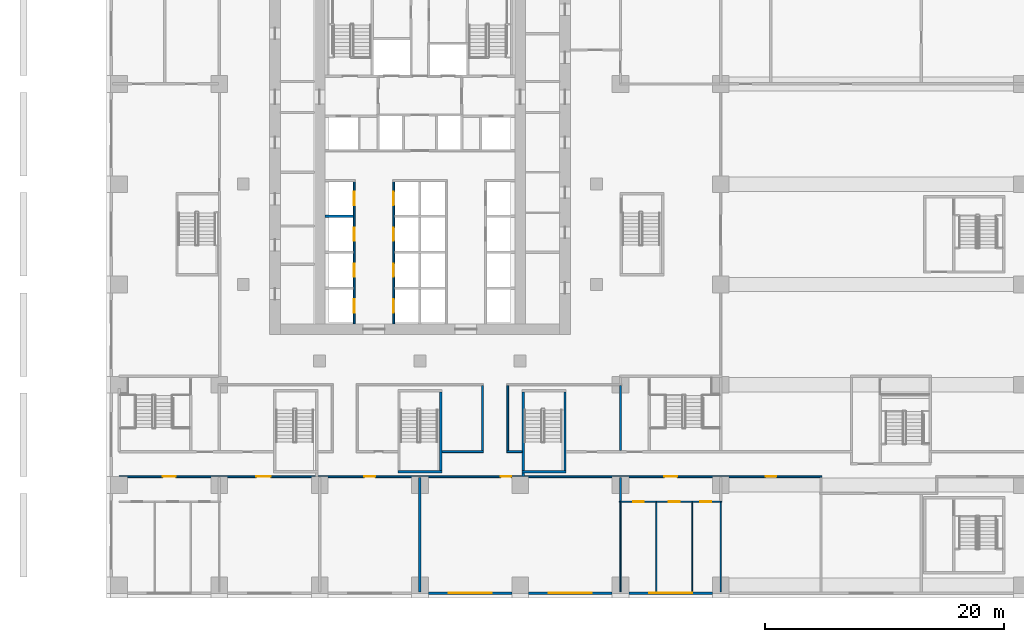
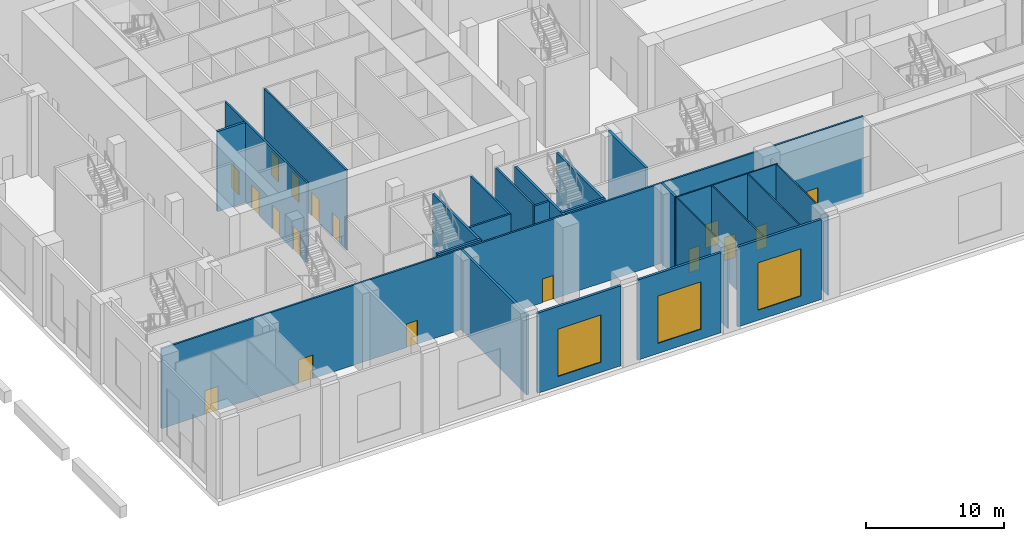
# One storey, part 8 of 29: 24 walls, 17 doors, 3 windows, 20 openings.
"""IFC4 building model written with IfcOpenShell, lengths in metres."""

from ifc_helpers import new_model, si_unit, direction, frame, frame_2d, origin, place, context, subcontext, project, spatial, rectangle, extrude, material, layer, layer_set, type_object, element, fill, save


model = new_model("IFC4")

# Units and contexts
model_context = context("Model", 3, precision=1e-05, world=origin(), true_north=direction((0.0, 1.0)))
body_context = subcontext(model_context, "Body", "Model", "MODEL_VIEW")
ifc_project = project(units=[si_unit("LENGTHUNIT", "METRE"), si_unit("AREAUNIT", "SQUARE_METRE"), si_unit("VOLUMEUNIT", "CUBIC_METRE"), si_unit("PLANEANGLEUNIT", "RADIAN"), si_unit("MASSUNIT", "GRAM", prefix="KILO")], contexts=[model_context])

# Site, building, storey
site_placement = place(None, origin())
site = spatial("IfcSite", under=ifc_project, at=site_placement, CompositionType="ELEMENT")
building_placement = place(site_placement, origin())
building = spatial("IfcBuilding", under=site, at=building_placement, Name="Vermilion Ogive Tower", CompositionType="ELEMENT")
storey_placement = place(building_placement, frame((0.0, 0.0, 12.5)))
storey = spatial("IfcBuildingStorey", under=building, at=storey_placement, Name="L02", CompositionType="ELEMENT", Elevation=12.5)

# Wall, openings, doors
ifc_material_1 = material(Name="Gypsum board partition on steel studs", Category="steel")
ifc_layer_1 = layer(ifc_material_1, 0.10009765625)
ifc_layer_set_1 = layer_set([ifc_layer_1], Name="Partition 100 bath")
wall_type_1 = type_object("IfcWallType", Name="Partition 100 bath", PredefinedType="PARTITIONING", material=ifc_layer_set_1)
wall_1_placement = place(storey_placement, frame((16.699951171875, -22.39990234375, 0.0), z_axis=(0.0, 0.0, 1.0), x_axis=(1.0, 0.0, 0.0)))
wall_1 = element("IfcWall", 1, at=wall_1_placement, inside=storey, type_object=wall_type_1, Name="L02-FS-W-W003", PredefinedType="PARTITIONING", context=body_context, shape_type="SweptSolid", body=[
    extrude(rectangle(XDim=8.60009765625, YDim=0.10009765625, at=frame_2d((4.300048828125, 0.0))), origin(), (0.0, 0.0, 1.0), 7.10009765625),
])
opening_1_placement = place(wall_1_placement, frame((1.150146484375, 0.0, 0.0)))
opening_1 = element("IfcOpeningElement", 2, at=opening_1_placement, cuts=wall_1, Name="Opening L02S037", PredefinedType="OPENING", context=body_context, shape_type="SweptSolid", body=[
    extrude(rectangle(XDim=0.89990234375, YDim=2.10009765625, at=frame_2d((0.449951171875, 1.050048828125))), frame((0.0, 0.06005859375, 0.0), z_axis=(0.0, -1.0, 0.0), x_axis=(1.0, 0.0, 0.0)), (0.0, 0.0, 1.0), 0.1201171875),
])
opening_2_placement = place(wall_1_placement, frame((4.150146484375, 0.0, 0.0)))
opening_2 = element("IfcOpeningElement", 3, at=opening_2_placement, cuts=wall_1, Name="Opening L02S038", PredefinedType="OPENING", context=body_context, shape_type="SweptSolid", body=[
    extrude(rectangle(XDim=0.89990234375, YDim=2.10009765625, at=frame_2d((0.449951171875, 1.050048828125))), frame((0.0, 0.06005859375, 0.0), z_axis=(0.0, -1.0, 0.0), x_axis=(1.0, 0.0, 0.0)), (0.0, 0.0, 1.0), 0.1201171875),
])
opening_3_placement = place(wall_1_placement, frame((6.800048828125, 0.0, 0.0)))
opening_3 = element("IfcOpeningElement", 4, at=opening_3_placement, cuts=wall_1, Name="Opening L02S039", PredefinedType="OPENING", context=body_context, shape_type="SweptSolid", body=[
    extrude(rectangle(XDim=0.89990234375, YDim=2.10009765625, at=frame_2d((0.449951171875, 1.050048828125))), frame((0.0, 0.06005859375, 0.0), z_axis=(0.0, -1.0, 0.0), x_axis=(1.0, 0.0, 0.0)), (0.0, 0.0, 1.0), 0.1201171875),
])
ifc_material_2 = material(Name="Timber door leaf", Category="wood")
door_type_1 = type_object("IfcDoorType", Name="Room door 900 x 2100 FD30", OperationType="SINGLE_SWING_LEFT", PredefinedType="DOOR", material=ifc_material_2)
door_1_placement = place(opening_1_placement, origin())
door_1 = element("IfcDoor", 5, at=door_1_placement, inside=storey, type_object=door_type_1, Name="L02-FS-D-D037", OperationType="SINGLE_SWING_RIGHT", OverallHeight=2.10009765625, OverallWidth=0.89990234375, PredefinedType="DOOR", context=body_context, shape_type="SweptSolid", body=[
    extrude(rectangle(XDim=0.89990234375, YDim=2.10009765625, at=frame_2d((0.449951171875, 1.050048828125))), frame((0.0, 0.02490234375, 0.0), z_axis=(0.0, -1.0, 0.0), x_axis=(1.0, 0.0, 0.0)), (0.0, 0.0, 1.0), 0.050048828125),
])
fill(opening_1, door_1)
door_2_placement = place(opening_2_placement, origin())
door_2 = element("IfcDoor", 6, at=door_2_placement, inside=storey, type_object=door_type_1, Name="L02-FS-D-D038", OperationType="SINGLE_SWING_RIGHT", OverallHeight=2.10009765625, OverallWidth=0.89990234375, PredefinedType="DOOR", context=body_context, shape_type="SweptSolid", body=[
    extrude(rectangle(XDim=0.89990234375, YDim=2.10009765625, at=frame_2d((0.449951171875, 1.050048828125))), frame((0.0, 0.02490234375, 0.0), z_axis=(0.0, -1.0, 0.0), x_axis=(1.0, 0.0, 0.0)), (0.0, 0.0, 1.0), 0.050048828125),
])
fill(opening_2, door_2)
door_3_placement = place(opening_3_placement, origin())
door_3 = element("IfcDoor", 7, at=door_3_placement, inside=storey, type_object=door_type_1, Name="L02-FS-D-D039", OperationType="SINGLE_SWING_RIGHT", OverallHeight=2.10009765625, OverallWidth=0.89990234375, PredefinedType="DOOR", context=body_context, shape_type="SweptSolid", body=[
    extrude(rectangle(XDim=0.89990234375, YDim=2.10009765625, at=frame_2d((0.449951171875, 1.050048828125))), frame((0.0, 0.02490234375, 0.0), z_axis=(0.0, -1.0, 0.0), x_axis=(1.0, 0.0, 0.0)), (0.0, 0.0, 1.0), 0.050048828125),
])
fill(opening_3, door_3)

# Walls
for number, where, z_axis, x_axis, name in (
    (8, (16.800048828125, -29.949951171875, 0.0), (0.0, 0.0, 1.0), (0.0, 1.0, 0.0), "L02-FS-W-W060"),
    (9, (19.800048828125, -29.949951171875, 0.0), (0.0, 0.0, 1.0), (0.0, 1.0, 0.0), "L02-FS-W-W068"),
    (10, (22.800048828125, -29.949951171875, 0.0), (0.0, 0.0, 1.0), (0.0, 1.0, 0.0), "L02-FS-W-W069"),
    (11, (25.199951171875, -29.949951171875, 0.0), (0.0, 0.0, 1.0), (0.0, 1.0, 0.0), "L02-FS-W-W070"),
):
    element("IfcWall", number, at=place(storey_placement, frame(where, z_axis=z_axis, x_axis=x_axis)), inside=storey, type_object=wall_type_1, Name=name, PredefinedType="PARTITIONING", context=body_context, shape_type="SweptSolid", body=[
        extrude(rectangle(XDim=7.5, YDim=0.10009765625, at=frame_2d((3.75, 0.0))), origin(), (0.0, 0.0, 1.0), 7.10009765625),
    ])

# Wall, openings, doors
ifc_material_3 = material(Name="Gypsum board partition on steel studs", Category="steel")
ifc_layer_2 = layer(ifc_material_3, 0.14990234375)
ifc_layer_set_2 = layer_set([ifc_layer_2], Name="Partition 150 corridor")
wall_type_2 = type_object("IfcWallType", Name="Partition 150 corridor", PredefinedType="PARTITIONING", material=ifc_layer_set_2)
wall_2_placement = place(storey_placement, frame((-25.199951171875, -20.300048828125, 0.0), z_axis=(0.0, 0.0, 1.0), x_axis=(1.0, 0.0, 0.0)))
wall_2 = element("IfcWall", 12, at=wall_2_placement, inside=storey, type_object=wall_type_2, Name="L02-FS-W-W006", PredefinedType="PARTITIONING", context=body_context, shape_type="SweptSolid", body=[
    extrude(rectangle(XDim=58.875, YDim=0.14990234375, at=frame_2d((29.4375, 0.0))), origin(), (0.0, 0.0, 1.0), 7.10009765625),
])
opening_4_placement = place(wall_2_placement, frame((3.64990234375, 0.0, 0.0)))
opening_4 = element("IfcOpeningElement", 13, at=opening_4_placement, cuts=wall_2, Name="Opening L02S022", PredefinedType="OPENING", context=body_context, shape_type="SweptSolid", body=[
    extrude(rectangle(XDim=1.10009765625, YDim=2.10009765625, at=frame_2d((0.550048828125, 1.050048828125))), frame((0.0, 0.0849609375, 0.0), z_axis=(0.0, -1.0, 0.0), x_axis=(1.0, 0.0, 0.0)), (0.0, 0.0, 1.0), 0.169921875),
])
opening_5_placement = place(wall_2_placement, frame((11.5, 0.0, 0.0)))
opening_5 = element("IfcOpeningElement", 14, at=opening_5_placement, cuts=wall_2, Name="Opening L02S026", PredefinedType="OPENING", context=body_context, shape_type="SweptSolid", body=[
    extrude(rectangle(XDim=1.199951171875, YDim=2.10009765625, at=frame_2d((0.60009765625, 1.050048828125))), frame((0.0, 0.0849609375, 0.0), z_axis=(0.0, -1.0, 0.0), x_axis=(1.0, 0.0, 0.0)), (0.0, 0.0, 1.0), 0.169921875),
])
opening_6_placement = place(wall_2_placement, frame((20.550048828125, 0.0, 0.0)))
opening_6 = element("IfcOpeningElement", 15, at=opening_6_placement, cuts=wall_2, Name="Opening L02S027", PredefinedType="OPENING", context=body_context, shape_type="SweptSolid", body=[
    extrude(rectangle(XDim=0.89990234375, YDim=2.10009765625, at=frame_2d((0.449951171875, 1.050048828125))), frame((0.0, 0.0849609375, 0.0), z_axis=(0.0, -1.0, 0.0), x_axis=(1.0, 0.0, 0.0)), (0.0, 0.0, 1.0), 0.169921875),
])
opening_7_placement = place(wall_2_placement, frame((31.949951171875, 0.0, 0.0)))
opening_7 = element("IfcOpeningElement", 16, at=opening_7_placement, cuts=wall_2, Name="Opening L02S028", PredefinedType="OPENING", context=body_context, shape_type="SweptSolid", body=[
    extrude(rectangle(XDim=0.89990234375, YDim=2.10009765625, at=frame_2d((0.449951171875, 1.050048828125))), frame((0.0, 0.0849609375, 0.0), z_axis=(0.0, -1.0, 0.0), x_axis=(1.0, 0.0, 0.0)), (0.0, 0.0, 1.0), 0.169921875),
])
opening_8_placement = place(wall_2_placement, frame((45.64990234375, 0.0, 0.0)))
opening_8 = element("IfcOpeningElement", 17, at=opening_8_placement, cuts=wall_2, Name="Opening L02S036", PredefinedType="OPENING", context=body_context, shape_type="SweptSolid", body=[
    extrude(rectangle(XDim=1.10009765625, YDim=2.10009765625, at=frame_2d((0.550048828125, 1.050048828125))), frame((0.0, 0.0849609375, 0.0), z_axis=(0.0, -1.0, 0.0), x_axis=(1.0, 0.0, 0.0)), (0.0, 0.0, 1.0), 0.169921875),
])
opening_9_placement = place(wall_2_placement, frame((54.14990234375, 0.0, 0.0)))
opening_9 = element("IfcOpeningElement", 18, at=opening_9_placement, cuts=wall_2, Name="Opening L02S040", PredefinedType="OPENING", context=body_context, shape_type="SweptSolid", body=[
    extrude(rectangle(XDim=0.89990234375, YDim=2.10009765625, at=frame_2d((0.449951171875, 1.050048828125))), frame((0.0, 0.0849609375, 0.0), z_axis=(0.0, -1.0, 0.0), x_axis=(1.0, 0.0, 0.0)), (0.0, 0.0, 1.0), 0.169921875),
])
ifc_material_4 = material(Name="Timber door leaf", Category="wood")
door_type_2 = type_object("IfcDoorType", Name="Room door 1200 x 2100 FD30", OperationType="SINGLE_SWING_LEFT", PredefinedType="DOOR", material=ifc_material_4)
door_4_placement = place(opening_5_placement, origin())
door_4 = element("IfcDoor", 19, at=door_4_placement, inside=storey, type_object=door_type_2, Name="L02-FS-D-D026", OperationType="SINGLE_SWING_RIGHT", OverallHeight=2.10009765625, OverallWidth=1.199951171875, PredefinedType="DOOR", context=body_context, shape_type="SweptSolid", body=[
    extrude(rectangle(XDim=1.199951171875, YDim=2.10009765625, at=frame_2d((0.60009765625, 1.050048828125))), frame((0.0, 0.02490234375, 0.0), z_axis=(0.0, -1.0, 0.0), x_axis=(1.0, 0.0, 0.0)), (0.0, 0.0, 1.0), 0.050048828125),
])
fill(opening_5, door_4)
door_5_placement = place(opening_6_placement, origin())
door_5 = element("IfcDoor", 20, at=door_5_placement, inside=storey, type_object=door_type_1, Name="L02-FS-D-D027", OperationType="SINGLE_SWING_LEFT", OverallHeight=2.10009765625, OverallWidth=0.89990234375, PredefinedType="DOOR", context=body_context, shape_type="SweptSolid", body=[
    extrude(rectangle(XDim=0.89990234375, YDim=2.10009765625, at=frame_2d((0.449951171875, 1.050048828125))), frame((0.0, 0.02490234375, 0.0), z_axis=(0.0, -1.0, 0.0), x_axis=(1.0, 0.0, 0.0)), (0.0, 0.0, 1.0), 0.050048828125),
])
fill(opening_6, door_5)
door_6_placement = place(opening_7_placement, origin())
door_6 = element("IfcDoor", 21, at=door_6_placement, inside=storey, type_object=door_type_1, Name="L02-FS-D-D028", OperationType="SINGLE_SWING_LEFT", OverallHeight=2.10009765625, OverallWidth=0.89990234375, PredefinedType="DOOR", context=body_context, shape_type="SweptSolid", body=[
    extrude(rectangle(XDim=0.89990234375, YDim=2.10009765625, at=frame_2d((0.449951171875, 1.050048828125))), frame((0.0, 0.02490234375, 0.0), z_axis=(0.0, -1.0, 0.0), x_axis=(1.0, 0.0, 0.0)), (0.0, 0.0, 1.0), 0.050048828125),
])
fill(opening_7, door_6)
door_7_placement = place(opening_9_placement, origin())
door_7 = element("IfcDoor", 22, at=door_7_placement, inside=storey, type_object=door_type_1, Name="L02-FS-D-D040", OperationType="SINGLE_SWING_RIGHT", OverallHeight=2.10009765625, OverallWidth=0.89990234375, PredefinedType="DOOR", context=body_context, shape_type="SweptSolid", body=[
    extrude(rectangle(XDim=0.89990234375, YDim=2.10009765625, at=frame_2d((0.449951171875, 1.050048828125))), frame((0.0, 0.02490234375, 0.0), z_axis=(0.0, -1.0, 0.0), x_axis=(1.0, 0.0, 0.0)), (0.0, 0.0, 1.0), 0.050048828125),
])
fill(opening_9, door_7)
ifc_material_5 = material(Name="Timber door leaf", Category="wood")
door_type_3 = type_object("IfcDoorType", Name="Wc door 1100 x 2100 FD30", OperationType="SINGLE_SWING_LEFT", PredefinedType="DOOR", material=ifc_material_5)
door_8_placement = place(opening_4_placement, origin())
door_8 = element("IfcDoor", 23, at=door_8_placement, inside=storey, type_object=door_type_3, Name="L02-FS-D-D022", OperationType="SINGLE_SWING_RIGHT", OverallHeight=2.10009765625, OverallWidth=1.10009765625, PredefinedType="DOOR", context=body_context, shape_type="SweptSolid", body=[
    extrude(rectangle(XDim=1.10009765625, YDim=2.10009765625, at=frame_2d((0.550048828125, 1.050048828125))), frame((0.0, 0.02490234375, 0.0), z_axis=(0.0, -1.0, 0.0), x_axis=(1.0, 0.0, 0.0)), (0.0, 0.0, 1.0), 0.050048828125),
])
fill(opening_4, door_8)
door_9_placement = place(opening_8_placement, origin())
door_9 = element("IfcDoor", 24, at=door_9_placement, inside=storey, type_object=door_type_3, Name="L02-FS-D-D036", OperationType="SINGLE_SWING_RIGHT", OverallHeight=2.10009765625, OverallWidth=1.10009765625, PredefinedType="DOOR", context=body_context, shape_type="SweptSolid", body=[
    extrude(rectangle(XDim=1.10009765625, YDim=2.10009765625, at=frame_2d((0.550048828125, 1.050048828125))), frame((0.0, 0.02490234375, 0.0), z_axis=(0.0, -1.0, 0.0), x_axis=(1.0, 0.0, 0.0)), (0.0, 0.0, 1.0), 0.050048828125),
])
fill(opening_8, door_9)

# Walls
wall_3_placement = place(storey_placement, frame((1.85009765625, -18.199951171875, 0.0), z_axis=(0.0, 0.0, 1.0), x_axis=(1.0, 0.0, 0.0)))
element("IfcWall", 25, at=wall_3_placement, inside=storey, type_object=wall_type_2, Name="L02-FS-W-W012", PredefinedType="PARTITIONING", context=body_context, shape_type="SweptSolid", body=[
    extrude(rectangle(XDim=3.474853515625, YDim=0.14990234375, at=frame_2d((1.7373046875, 0.0))), origin(), (0.0, 0.0, 1.0), 7.10009765625),
])
wall_4_placement = place(storey_placement, frame((7.27490234375, -18.199951171875, 0.0), z_axis=(0.0, 0.0, 1.0), x_axis=(1.0, 0.0, 0.0)))
element("IfcWall", 26, at=wall_4_placement, inside=storey, type_object=wall_type_2, Name="L02-FS-W-W013", PredefinedType="PARTITIONING", context=body_context, shape_type="SweptSolid", body=[
    extrude(rectangle(XDim=1.275146484375, YDim=0.14990234375, at=frame_2d((0.6376953125, 0.0))), origin(), (0.0, 0.0, 1.0), 7.10009765625),
])
for number, where, z_axis, x_axis, name in (
    (27, (5.25, -18.125, 0.0), (0.0, 0.0, 1.0), (0.0, 1.0, 0.0), "L02-FS-W-W058"),
    (28, (7.35009765625, -18.125, 0.0), (0.0, 0.0, 1.0), (0.0, 1.0, 0.0), "L02-FS-W-W059"),
):
    element("IfcWall", number, at=place(storey_placement, frame(where, z_axis=z_axis, x_axis=x_axis)), inside=storey, type_object=wall_type_2, Name=name, PredefinedType="PARTITIONING", context=body_context, shape_type="SweptSolid", body=[
        extrude(rectangle(XDim=5.449951171875, YDim=0.14990234375, at=frame_2d((2.72509765625, 0.0))), origin(), (0.0, 0.0, 1.0), 7.10009765625),
    ])

# Wall, openings, doors
wall_5_placement = place(storey_placement, frame((-5.5, -7.4990234375, 0.0), z_axis=(0.0, 0.0, 1.0), x_axis=(0.0, 1.0, 0.0)))
wall_5 = element("IfcWall", 29, at=wall_5_placement, inside=storey, type_object=wall_type_2, Name="L02-CK-W-W022", PredefinedType="PARTITIONING", context=body_context, shape_type="SweptSolid", body=[
    extrude(rectangle(XDim=11.924072265625, YDim=0.14990234375, at=frame_2d((5.9619140625, 0.0))), origin(), (0.0, 0.0, 1.0), 7.10009765625),
])
opening_10_placement = place(wall_5_placement, frame((0.948974609375, 0.0, 0.0)))
opening_10 = element("IfcOpeningElement", 30, at=opening_10_placement, cuts=wall_5, Name="Opening DAB064", PredefinedType="OPENING", context=body_context, shape_type="SweptSolid", body=[
    extrude(rectangle(XDim=1.10009765625, YDim=2.10009765625, at=frame_2d((0.550048828125, 1.050048828125))), frame((0.0, 0.0849609375, 0.0), z_axis=(0.0, -1.0, 0.0), x_axis=(1.0, 0.0, 0.0)), (0.0, 0.0, 1.0), 0.169921875),
])
opening_11_placement = place(wall_5_placement, frame((3.948974609375, 0.0, 0.0)))
opening_11 = element("IfcOpeningElement", 31, at=opening_11_placement, cuts=wall_5, Name="Opening DAB069", PredefinedType="OPENING", context=body_context, shape_type="SweptSolid", body=[
    extrude(rectangle(XDim=1.10009765625, YDim=2.10009765625, at=frame_2d((0.550048828125, 1.050048828125))), frame((0.0, 0.0849609375, 0.0), z_axis=(0.0, -1.0, 0.0), x_axis=(1.0, 0.0, 0.0)), (0.0, 0.0, 1.0), 0.169921875),
])
opening_12_placement = place(wall_5_placement, frame((6.948974609375, 0.0, 0.0)))
opening_12 = element("IfcOpeningElement", 32, at=opening_12_placement, cuts=wall_5, Name="Opening DAB070", PredefinedType="OPENING", context=body_context, shape_type="SweptSolid", body=[
    extrude(rectangle(XDim=1.10009765625, YDim=2.10009765625, at=frame_2d((0.550048828125, 1.050048828125))), frame((0.0, 0.0849609375, 0.0), z_axis=(0.0, -1.0, 0.0), x_axis=(1.0, 0.0, 0.0)), (0.0, 0.0, 1.0), 0.169921875),
])
opening_13_placement = place(wall_5_placement, frame((9.948974609375, 0.0, 0.0)))
opening_13 = element("IfcOpeningElement", 33, at=opening_13_placement, cuts=wall_5, Name="Opening DAB071", PredefinedType="OPENING", context=body_context, shape_type="SweptSolid", body=[
    extrude(rectangle(XDim=1.10009765625, YDim=2.10009765625, at=frame_2d((0.550048828125, 1.050048828125))), frame((0.0, 0.0849609375, 0.0), z_axis=(0.0, -1.0, 0.0), x_axis=(1.0, 0.0, 0.0)), (0.0, 0.0, 1.0), 0.169921875),
])
ifc_material_6 = material(Name="Stainless steel", Category="steel")
door_type_4 = type_object("IfcDoorType", Name="Lift landing door 1100 x 2100", OperationType="SLIDING_TO_LEFT", PredefinedType="DOOR", material=ifc_material_6)
door_10_placement = place(opening_10_placement, origin())
door_10 = element("IfcDoor", 34, at=door_10_placement, inside=storey, type_object=door_type_4, Name="L02-CK-D-D001", OperationType="SLIDING_TO_RIGHT", OverallHeight=2.10009765625, OverallWidth=1.10009765625, PredefinedType="DOOR", context=body_context, shape_type="SweptSolid", body=[
    extrude(rectangle(XDim=1.10009765625, YDim=2.10009765625, at=frame_2d((0.550048828125, 1.050048828125))), frame((0.0, 0.02490234375, 0.0), z_axis=(0.0, -1.0, 0.0), x_axis=(1.0, 0.0, 0.0)), (0.0, 0.0, 1.0), 0.050048828125),
])
fill(opening_10, door_10)
door_11_placement = place(opening_11_placement, origin())
door_11 = element("IfcDoor", 35, at=door_11_placement, inside=storey, type_object=door_type_4, Name="L02-CK-D-D002", OperationType="SLIDING_TO_RIGHT", OverallHeight=2.10009765625, OverallWidth=1.10009765625, PredefinedType="DOOR", context=body_context, shape_type="SweptSolid", body=[
    extrude(rectangle(XDim=1.10009765625, YDim=2.10009765625, at=frame_2d((0.550048828125, 1.050048828125))), frame((0.0, 0.02490234375, 0.0), z_axis=(0.0, -1.0, 0.0), x_axis=(1.0, 0.0, 0.0)), (0.0, 0.0, 1.0), 0.050048828125),
])
fill(opening_11, door_11)
door_12_placement = place(opening_12_placement, origin())
door_12 = element("IfcDoor", 36, at=door_12_placement, inside=storey, type_object=door_type_4, Name="L02-CK-D-D003", OperationType="SLIDING_TO_RIGHT", OverallHeight=2.10009765625, OverallWidth=1.10009765625, PredefinedType="DOOR", context=body_context, shape_type="SweptSolid", body=[
    extrude(rectangle(XDim=1.10009765625, YDim=2.10009765625, at=frame_2d((0.550048828125, 1.050048828125))), frame((0.0, 0.02490234375, 0.0), z_axis=(0.0, -1.0, 0.0), x_axis=(1.0, 0.0, 0.0)), (0.0, 0.0, 1.0), 0.050048828125),
])
fill(opening_12, door_12)
door_13_placement = place(opening_13_placement, origin())
door_13 = element("IfcDoor", 37, at=door_13_placement, inside=storey, type_object=door_type_4, Name="L02-CK-D-D004", OperationType="SLIDING_TO_RIGHT", OverallHeight=2.10009765625, OverallWidth=1.10009765625, PredefinedType="DOOR", context=body_context, shape_type="SweptSolid", body=[
    extrude(rectangle(XDim=1.10009765625, YDim=2.10009765625, at=frame_2d((0.550048828125, 1.050048828125))), frame((0.0, 0.02490234375, 0.0), z_axis=(0.0, -1.0, 0.0), x_axis=(1.0, 0.0, 0.0)), (0.0, 0.0, 1.0), 0.050048828125),
])
fill(opening_13, door_13)

wall_6_placement = place(storey_placement, frame((-2.199951171875, -7.4990234375, 0.0), z_axis=(0.0, 0.0, 1.0), x_axis=(0.0, 1.0, 0.0)))
wall_6 = element("IfcWall", 38, at=wall_6_placement, inside=storey, type_object=wall_type_2, Name="L02-CK-W-W027", PredefinedType="PARTITIONING", context=body_context, shape_type="SweptSolid", body=[
    extrude(rectangle(XDim=11.924072265625, YDim=0.14990234375, at=frame_2d((5.9619140625, 0.0))), origin(), (0.0, 0.0, 1.0), 7.10009765625),
])
opening_14_placement = place(wall_6_placement, frame((0.948974609375, 0.0, 0.0)))
opening_14 = element("IfcOpeningElement", 39, at=opening_14_placement, cuts=wall_6, Name="Opening DAB072", PredefinedType="OPENING", context=body_context, shape_type="SweptSolid", body=[
    extrude(rectangle(XDim=1.10009765625, YDim=2.10009765625, at=frame_2d((0.550048828125, 1.050048828125))), frame((0.0, 0.0849609375, 0.0), z_axis=(0.0, -1.0, 0.0), x_axis=(1.0, 0.0, 0.0)), (0.0, 0.0, 1.0), 0.169921875),
])
opening_15_placement = place(wall_6_placement, frame((3.948974609375, 0.0, 0.0)))
opening_15 = element("IfcOpeningElement", 40, at=opening_15_placement, cuts=wall_6, Name="Opening DAB073", PredefinedType="OPENING", context=body_context, shape_type="SweptSolid", body=[
    extrude(rectangle(XDim=1.10009765625, YDim=2.10009765625, at=frame_2d((0.550048828125, 1.050048828125))), frame((0.0, 0.0849609375, 0.0), z_axis=(0.0, -1.0, 0.0), x_axis=(1.0, 0.0, 0.0)), (0.0, 0.0, 1.0), 0.169921875),
])
opening_16_placement = place(wall_6_placement, frame((6.948974609375, 0.0, 0.0)))
opening_16 = element("IfcOpeningElement", 41, at=opening_16_placement, cuts=wall_6, Name="Opening DAB074", PredefinedType="OPENING", context=body_context, shape_type="SweptSolid", body=[
    extrude(rectangle(XDim=1.10009765625, YDim=2.10009765625, at=frame_2d((0.550048828125, 1.050048828125))), frame((0.0, 0.0849609375, 0.0), z_axis=(0.0, -1.0, 0.0), x_axis=(1.0, 0.0, 0.0)), (0.0, 0.0, 1.0), 0.169921875),
])
opening_17_placement = place(wall_6_placement, frame((9.948974609375, 0.0, 0.0)))
opening_17 = element("IfcOpeningElement", 42, at=opening_17_placement, cuts=wall_6, Name="Opening DAB075", PredefinedType="OPENING", context=body_context, shape_type="SweptSolid", body=[
    extrude(rectangle(XDim=1.10009765625, YDim=2.10009765625, at=frame_2d((0.550048828125, 1.050048828125))), frame((0.0, 0.0849609375, 0.0), z_axis=(0.0, -1.0, 0.0), x_axis=(1.0, 0.0, 0.0)), (0.0, 0.0, 1.0), 0.169921875),
])
door_14_placement = place(opening_14_placement, origin())
door_14 = element("IfcDoor", 43, at=door_14_placement, inside=storey, type_object=door_type_4, Name="L02-CK-D-D005", OperationType="SLIDING_TO_RIGHT", OverallHeight=2.10009765625, OverallWidth=1.10009765625, PredefinedType="DOOR", context=body_context, shape_type="SweptSolid", body=[
    extrude(rectangle(XDim=1.10009765625, YDim=2.10009765625, at=frame_2d((0.550048828125, 1.050048828125))), frame((0.0, 0.02490234375, 0.0), z_axis=(0.0, -1.0, 0.0), x_axis=(1.0, 0.0, 0.0)), (0.0, 0.0, 1.0), 0.050048828125),
])
fill(opening_14, door_14)
door_15_placement = place(opening_15_placement, origin())
door_15 = element("IfcDoor", 44, at=door_15_placement, inside=storey, type_object=door_type_4, Name="L02-CK-D-D006", OperationType="SLIDING_TO_RIGHT", OverallHeight=2.10009765625, OverallWidth=1.10009765625, PredefinedType="DOOR", context=body_context, shape_type="SweptSolid", body=[
    extrude(rectangle(XDim=1.10009765625, YDim=2.10009765625, at=frame_2d((0.550048828125, 1.050048828125))), frame((0.0, 0.02490234375, 0.0), z_axis=(0.0, -1.0, 0.0), x_axis=(1.0, 0.0, 0.0)), (0.0, 0.0, 1.0), 0.050048828125),
])
fill(opening_15, door_15)
door_16_placement = place(opening_16_placement, origin())
door_16 = element("IfcDoor", 45, at=door_16_placement, inside=storey, type_object=door_type_4, Name="L02-CK-D-D007", OperationType="SLIDING_TO_RIGHT", OverallHeight=2.10009765625, OverallWidth=1.10009765625, PredefinedType="DOOR", context=body_context, shape_type="SweptSolid", body=[
    extrude(rectangle(XDim=1.10009765625, YDim=2.10009765625, at=frame_2d((0.550048828125, 1.050048828125))), frame((0.0, 0.02490234375, 0.0), z_axis=(0.0, -1.0, 0.0), x_axis=(1.0, 0.0, 0.0)), (0.0, 0.0, 1.0), 0.050048828125),
])
fill(opening_16, door_16)
door_17_placement = place(opening_17_placement, origin())
door_17 = element("IfcDoor", 46, at=door_17_placement, inside=storey, type_object=door_type_4, Name="L02-CK-D-D008", OperationType="SLIDING_TO_RIGHT", OverallHeight=2.10009765625, OverallWidth=1.10009765625, PredefinedType="DOOR", context=body_context, shape_type="SweptSolid", body=[
    extrude(rectangle(XDim=1.10009765625, YDim=2.10009765625, at=frame_2d((0.550048828125, 1.050048828125))), frame((0.0, 0.02490234375, 0.0), z_axis=(0.0, -1.0, 0.0), x_axis=(1.0, 0.0, 0.0)), (0.0, 0.0, 1.0), 0.050048828125),
])
fill(opening_17, door_17)

# Walls
ifc_material_7 = material(Name="Gypsum board partition on steel studs", Category="steel")
ifc_layer_3 = layer(ifc_material_7, 0.199951171875)
ifc_layer_set_3 = layer_set([ifc_layer_3], Name="Partition 200 party")
wall_type_3 = type_object("IfcWallType", Name="Partition 200 party", PredefinedType="PARTITIONING", material=ifc_layer_set_3)
wall_7_placement = place(storey_placement, frame((0.0, -29.949951171875, 0.0), z_axis=(0.0, 0.0, 1.0), x_axis=(0.0, 1.0, 0.0)))
element("IfcWall", 47, at=wall_7_placement, inside=storey, type_object=wall_type_3, Name="L02-FS-W-W055", PredefinedType="PARTITIONING", context=body_context, shape_type="SweptSolid", body=[
    extrude(rectangle(XDim=9.574951171875, YDim=0.199951171875, at=frame_2d((4.78759765625, 0.0))), origin(), (0.0, 0.0, 1.0), 7.10009765625),
])
wall_8_placement = place(storey_placement, frame((16.800048828125, -22.35009765625, 0.0), z_axis=(0.0, 0.0, 1.0), x_axis=(0.0, 1.0, 0.0)))
element("IfcWall", 48, at=wall_8_placement, inside=storey, type_object=wall_type_3, Name="L02-FS-W-W061", PredefinedType="PARTITIONING", context=body_context, shape_type="SweptSolid", body=[
    extrude(rectangle(XDim=1.97509765625, YDim=0.199951171875, at=frame_2d((0.987548828125, 0.0))), origin(), (0.0, 0.0, 1.0), 7.10009765625),
])
wall_9_placement = place(storey_placement, frame((16.800048828125, -18.125, 0.0), z_axis=(0.0, 0.0, 1.0), x_axis=(0.0, 1.0, 0.0)))
element("IfcWall", 49, at=wall_9_placement, inside=storey, type_object=wall_type_3, Name="L02-FS-W-W062", PredefinedType="PARTITIONING", context=body_context, shape_type="SweptSolid", body=[
    extrude(rectangle(XDim=5.449951171875, YDim=0.199951171875, at=frame_2d((2.72509765625, 0.0))), origin(), (0.0, 0.0, 1.0), 7.10009765625),
])
wall_10_placement = place(storey_placement, frame((-7.948974609375, 1.5, 0.0), z_axis=(0.0, 0.0, 1.0), x_axis=(1.0, 0.0, 0.0)))
element("IfcWall", 50, at=wall_10_placement, inside=storey, type_object=wall_type_3, Name="L02-CK-W-W007", PredefinedType="PARTITIONING", context=body_context, shape_type="SweptSolid", body=[
    extrude(rectangle(XDim=2.3740234375, YDim=0.199951171875, at=frame_2d((1.18701171875, 0.0))), origin(), (0.0, 0.0, 1.0), 7.10009765625),
])
ifc_material_8 = material(Name="Concrete B60", Category="concrete")
ifc_layer_4 = layer(ifc_material_8, 0.199951171875)
ifc_layer_set_4 = layer_set([ifc_layer_4], Name="Stair shaft wall 200 Concrete B60")
wall_type_4 = type_object("IfcWallType", Name="Stair shaft wall 200 Concrete B60", PredefinedType="SOLIDWALL", material=ifc_layer_set_4)
wall_11_placement = place(storey_placement, frame((-1.85009765625, -19.89990234375, 0.0), z_axis=(0.0, 0.0, 1.0), x_axis=(1.0, 0.0, 0.0)))
element("IfcWall", 51, at=wall_11_placement, inside=storey, type_object=wall_type_4, Name="L02-SW-ST4-S1", PredefinedType="SOLIDWALL", context=body_context, shape_type="SweptSolid", body=[
    extrude(rectangle(XDim=3.7001953125, YDim=0.199951171875, at=frame_2d((1.85009765625, 0.0))), origin(), (0.0, 0.0, 1.0), 7.10009765625),
])
wall_12_placement = place(storey_placement, frame((1.75, -19.800048828125, 0.0), z_axis=(0.0, 0.0, 1.0), x_axis=(0.0, 1.0, 0.0)))
element("IfcWall", 52, at=wall_12_placement, inside=storey, type_object=wall_type_4, Name="L02-SW-ST4-E1", PredefinedType="SOLIDWALL", context=body_context, shape_type="SweptSolid", body=[
    extrude(rectangle(XDim=6.60009765625, YDim=0.199951171875, at=frame_2d((3.300048828125, 0.0))), origin(), (0.0, 0.0, 1.0), 7.10009765625),
])
wall_13_placement = place(storey_placement, frame((8.550048828125, -19.89990234375, 0.0), z_axis=(0.0, 0.0, 1.0), x_axis=(1.0, 0.0, 0.0)))
element("IfcWall", 53, at=wall_13_placement, inside=storey, type_object=wall_type_4, Name="L02-SW-ST5-S1", PredefinedType="SOLIDWALL", context=body_context, shape_type="SweptSolid", body=[
    extrude(rectangle(XDim=3.699951171875, YDim=0.199951171875, at=frame_2d((1.85009765625, 0.0))), origin(), (0.0, 0.0, 1.0), 7.10009765625),
])
wall_14_placement = place(storey_placement, frame((8.64990234375, -20.300048828125, 0.0), z_axis=(0.0, 0.0, 1.0), x_axis=(0.0, 1.0, 0.0)))
element("IfcWall", 54, at=wall_14_placement, inside=storey, type_object=wall_type_4, Name="L02-SW-ST5-W1", PredefinedType="SOLIDWALL", context=body_context, shape_type="SweptSolid", body=[
    extrude(rectangle(XDim=7.10009765625, YDim=0.199951171875, at=frame_2d((3.550048828125, 0.0))), origin(), (0.0, 0.0, 1.0), 7.10009765625),
])
wall_15_placement = place(storey_placement, frame((12.14990234375, -19.800048828125, 0.0), z_axis=(0.0, 0.0, 1.0), x_axis=(0.0, 1.0, 0.0)))
element("IfcWall", 55, at=wall_15_placement, inside=storey, type_object=wall_type_4, Name="L02-SW-ST5-E1", PredefinedType="SOLIDWALL", context=body_context, shape_type="SweptSolid", body=[
    extrude(rectangle(XDim=6.60009765625, YDim=0.199951171875, at=frame_2d((3.300048828125, 0.0))), origin(), (0.0, 0.0, 1.0), 7.10009765625),
])

# Wall, opening, window
ifc_material_9 = material(Name="Aluminium window wall framing", Category="aluminium")
ifc_layer_5 = layer(ifc_material_9, 0.199951171875)
ifc_layer_set_5 = layer_set([ifc_layer_5], Name="Window wall")
wall_type_5 = type_object("IfcWallType", Name="Window wall", PredefinedType="STANDARD", material=ifc_layer_set_5)
wall_16_placement = place(storey_placement, frame((0.699951171875, -30.050048828125, 0.0), z_axis=(0.0, 0.0, 1.0), x_axis=(1.0, 0.0, 0.0)))
wall_16 = element("IfcWall", 56, at=wall_16_placement, inside=storey, type_object=wall_type_5, Name="Window wall S4", PredefinedType="STANDARD", context=body_context, shape_type="SweptSolid", body=[
    extrude(rectangle(XDim=7.0, YDim=0.199951171875, at=frame_2d((3.5, 0.0))), origin(), (0.0, 0.0, 1.0), 7.10009765625),
])
opening_18_placement = place(wall_16_placement, frame((1.699951171875, 0.0, 0.89990234375)))
opening_18 = element("IfcOpeningElement", 57, at=opening_18_placement, cuts=wall_16, Name="Opening P-S4", PredefinedType="OPENING", context=body_context, shape_type="SweptSolid", body=[
    extrude(rectangle(XDim=3.60009765625, YDim=4.199951171875, at=frame_2d((1.800048828125, 2.10009765625))), frame((0.0, 0.10986328125, 0.0), z_axis=(0.0, -1.0, 0.0), x_axis=(1.0, 0.0, 0.0)), (0.0, 0.0, 1.0), 0.219970703125),
])
ifc_material_10 = material(Name="Aluminium framed double glazing", Category="aluminium")
window_type = type_object("IfcWindowType", Name="Podium window P 3600x4200 sill 900", PartitioningType="SINGLE_PANEL", PredefinedType="WINDOW", material=ifc_material_10)
window_1_placement = place(opening_18_placement, origin())
window_1 = element("IfcWindow", 58, at=window_1_placement, inside=storey, type_object=window_type, Name="Window S4", OverallHeight=4.199951171875, OverallWidth=3.60009765625, PartitioningType="SINGLE_PANEL", PredefinedType="WINDOW", context=body_context, shape_type="SweptSolid", body=[
    extrude(rectangle(XDim=3.60009765625, YDim=4.199951171875, at=frame_2d((1.800048828125, 2.10009765625))), frame((0.0, 0.030029296875, 0.0), z_axis=(0.0, -1.0, 0.0), x_axis=(1.0, 0.0, 0.0)), (0.0, 0.0, 1.0), 0.06005859375),
])
fill(opening_18, window_1)

wall_17_placement = place(storey_placement, frame((9.10009765625, -30.050048828125, 0.0), z_axis=(0.0, 0.0, 1.0), x_axis=(1.0, 0.0, 0.0)))
wall_17 = element("IfcWall", 59, at=wall_17_placement, inside=storey, type_object=wall_type_5, Name="Window wall S5", PredefinedType="STANDARD", context=body_context, shape_type="SweptSolid", body=[
    extrude(rectangle(XDim=7.0, YDim=0.199951171875, at=frame_2d((3.5, 0.0))), origin(), (0.0, 0.0, 1.0), 7.10009765625),
])
opening_19_placement = place(wall_17_placement, frame((1.699951171875, 0.0, 0.89990234375)))
opening_19 = element("IfcOpeningElement", 60, at=opening_19_placement, cuts=wall_17, Name="Opening P-S5", PredefinedType="OPENING", context=body_context, shape_type="SweptSolid", body=[
    extrude(rectangle(XDim=3.60009765625, YDim=4.199951171875, at=frame_2d((1.800048828125, 2.10009765625))), frame((0.0, 0.10986328125, 0.0), z_axis=(0.0, -1.0, 0.0), x_axis=(1.0, 0.0, 0.0)), (0.0, 0.0, 1.0), 0.219970703125),
])
window_2_placement = place(opening_19_placement, origin())
window_2 = element("IfcWindow", 61, at=window_2_placement, inside=storey, type_object=window_type, Name="Window S5", OverallHeight=4.199951171875, OverallWidth=3.60009765625, PartitioningType="SINGLE_PANEL", PredefinedType="WINDOW", context=body_context, shape_type="SweptSolid", body=[
    extrude(rectangle(XDim=3.60009765625, YDim=4.199951171875, at=frame_2d((1.800048828125, 2.10009765625))), frame((0.0, 0.030029296875, 0.0), z_axis=(0.0, -1.0, 0.0), x_axis=(1.0, 0.0, 0.0)), (0.0, 0.0, 1.0), 0.06005859375),
])
fill(opening_19, window_2)

wall_18_placement = place(storey_placement, frame((17.5, -30.050048828125, 0.0), z_axis=(0.0, 0.0, 1.0), x_axis=(1.0, 0.0, 0.0)))
wall_18 = element("IfcWall", 62, at=wall_18_placement, inside=storey, type_object=wall_type_5, Name="Window wall S6", PredefinedType="STANDARD", context=body_context, shape_type="SweptSolid", body=[
    extrude(rectangle(XDim=7.0, YDim=0.199951171875, at=frame_2d((3.5, 0.0))), origin(), (0.0, 0.0, 1.0), 7.10009765625),
])
opening_20_placement = place(wall_18_placement, frame((1.699951171875, 0.0, 0.89990234375)))
opening_20 = element("IfcOpeningElement", 63, at=opening_20_placement, cuts=wall_18, Name="Opening P-S6", PredefinedType="OPENING", context=body_context, shape_type="SweptSolid", body=[
    extrude(rectangle(XDim=3.60009765625, YDim=4.199951171875, at=frame_2d((1.800048828125, 2.10009765625))), frame((0.0, 0.10986328125, 0.0), z_axis=(0.0, -1.0, 0.0), x_axis=(1.0, 0.0, 0.0)), (0.0, 0.0, 1.0), 0.219970703125),
])
window_3_placement = place(opening_20_placement, origin())
window_3 = element("IfcWindow", 64, at=window_3_placement, inside=storey, type_object=window_type, Name="Window S6", OverallHeight=4.199951171875, OverallWidth=3.60009765625, PartitioningType="SINGLE_PANEL", PredefinedType="WINDOW", context=body_context, shape_type="SweptSolid", body=[
    extrude(rectangle(XDim=3.60009765625, YDim=4.199951171875, at=frame_2d((1.800048828125, 2.10009765625))), frame((0.0, 0.030029296875, 0.0), z_axis=(0.0, -1.0, 0.0), x_axis=(1.0, 0.0, 0.0)), (0.0, 0.0, 1.0), 0.06005859375),
])
fill(opening_20, window_3)

save(model, "model.ifc")
